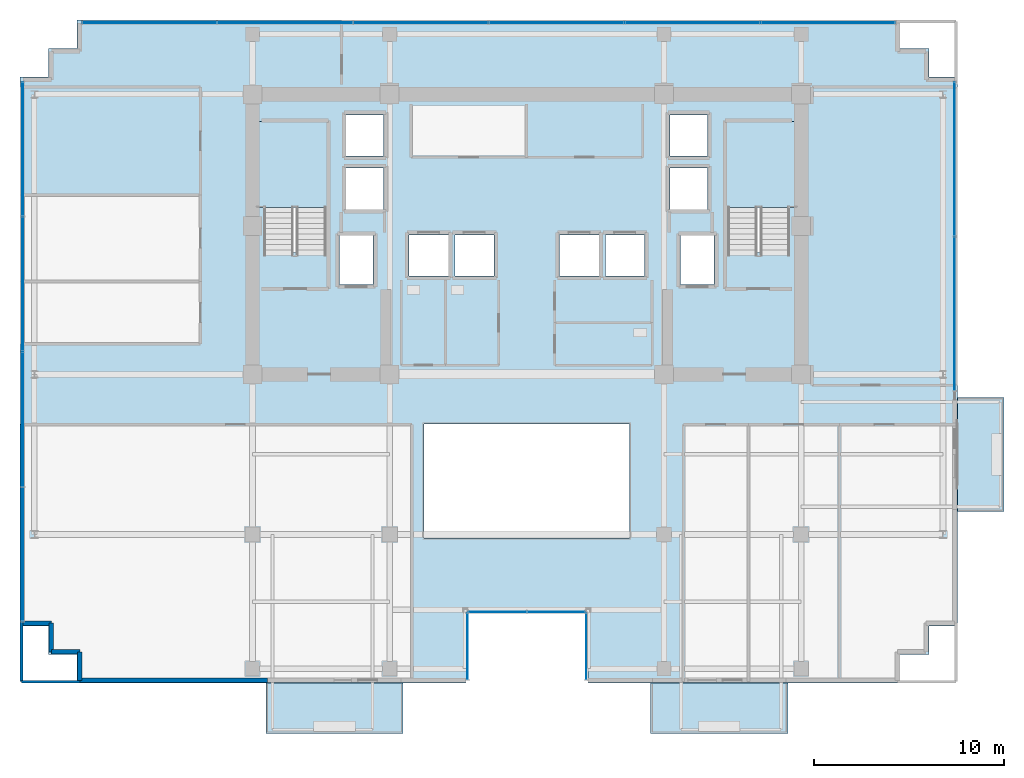
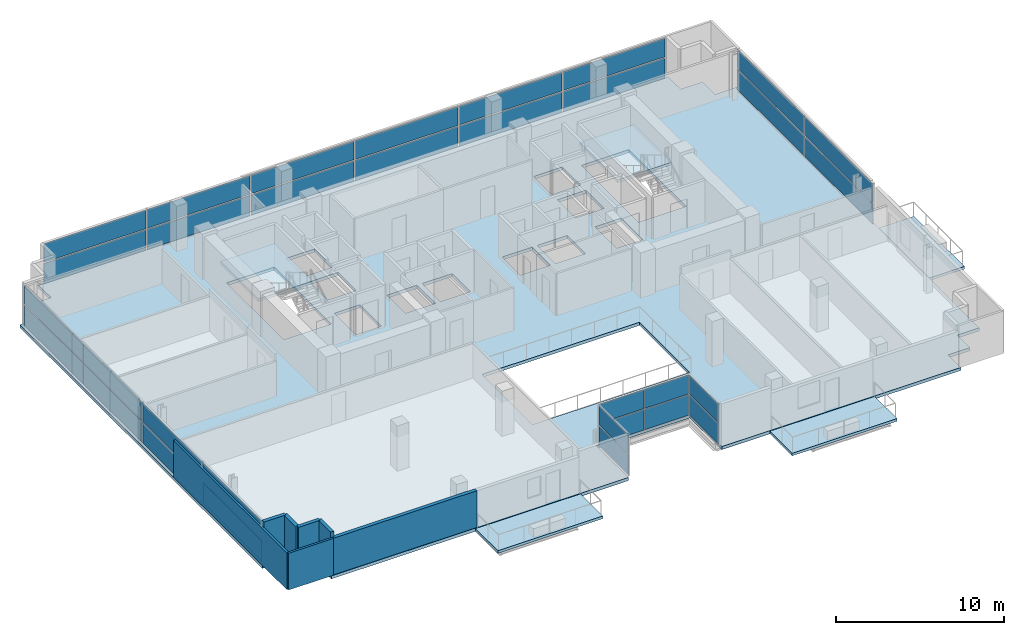
# One storey, part 17 of 25: 32 plates, 7 walls, 6 slabs, 8 elements without a shape of their own.
"""IFC4 building model written with IfcOpenShell, lengths in metres."""

import ifcopenshell
import ifcopenshell.guid

model = None  # the IFC model being written
_history = None  # IfcOwnerHistory: only IFC2X3 demands one
_inside = {}  # id of a spatial element -> (the spatial element, [elements in it])
_under = {}  # id of a project, library or spatial element -> (it, [spatial elements below it])
_declared = {}  # id of a project -> (the project, [libraries it declares])
_typed = {}  # id of a type object -> (the type object, [elements of that type])
_made_of = {}  # id of a material, layer set ... -> (it, [elements and type objects made of it])


def new_model(schema):
    """Start an empty IFC model of exactly this schema.

    Asked for "IFC4X3", IfcOpenShell would pick the latest addendum, in which some entities
    have other attributes; the version numbers below select the first issue.
    IFC2X3 requires an IfcOwnerHistory on every rooted entity: one is made here for all.
    """
    global model, _history
    if schema == "IFC4X3":
        model = ifcopenshell.file(schema_version=(4, 3, 0, 0))
    else:
        model = ifcopenshell.file(schema=schema)
    _inside.clear()
    _under.clear()
    _declared.clear()
    _typed.clear()
    _made_of.clear()
    _history = None
    if model.schema == "IFC2X3":
        org = make("IfcOrganization", Name="unknown")
        user = make(
            "IfcPersonAndOrganization",
            ThePerson=make("IfcPerson", FamilyName="unknown"),
            TheOrganization=org,
        )
        app = make(
            "IfcApplication",
            ApplicationDeveloper=org,
            Version="unknown",
            ApplicationFullName="unknown",
            ApplicationIdentifier="unknown",
        )
        _history = make(
            "IfcOwnerHistory",
            OwningUser=user,
            OwningApplication=app,
            ChangeAction="ADDED",
            CreationDate=0,
        )
    return model


def make(cls, **values):
    """One entity of the class cls with the attributes given. An attribute that is None is left unset."""
    return model.create_entity(
        cls, **{name: value for name, value in values.items() if value is not None}
    )


def rooted(cls, **values):
    """An entity with a GlobalId (a new one), such as an element, a storey or a relation."""
    return make(cls, GlobalId=ifcopenshell.guid.new(), OwnerHistory=_history, **values)


def si_unit(unit_type, name, prefix=None):
    """IfcSIUnit, for example si_unit("LENGTHUNIT", "METRE", prefix="MILLI")."""
    return make("IfcSIUnit", UnitType=unit_type, Prefix=prefix, Name=name)


def assignment(units):
    """IfcUnitAssignment: the units of a project."""
    return None if units is None else make("IfcUnitAssignment", Units=units)


def point(xyz):
    """IfcCartesianPoint."""
    return None if xyz is None else make("IfcCartesianPoint", Coordinates=xyz)


def direction(xyz):
    """IfcDirection."""
    return None if xyz is None else make("IfcDirection", DirectionRatios=xyz)


def frame(location, z_axis=None, x_axis=None):
    """IfcAxis2Placement3D, a coordinate frame: its origin and axes. An axis left out is left unset."""
    return make(
        "IfcAxis2Placement3D",
        Location=point(location),
        Axis=direction(z_axis),
        RefDirection=direction(x_axis),
    )


def frame_2d(location, x_axis=None):
    """IfcAxis2Placement2D, a coordinate frame in the plane: its origin and x axis."""
    return make(
        "IfcAxis2Placement2D", Location=point(location), RefDirection=direction(x_axis)
    )


def origin():
    """The frame at (0, 0, 0) with its axes left unset."""
    return frame((0.0, 0.0, 0.0))


def origin_2d():
    """The frame at (0, 0) in the plane with its x axis left unset."""
    return frame_2d((0.0, 0.0))


def place(relative_to, where):
    """IfcLocalPlacement: puts the frame where relative to a parent placement (None: the world)."""
    return make(
        "IfcLocalPlacement", PlacementRelTo=relative_to, RelativePlacement=where
    )


def context(
    kind, dimensions, precision=None, world=None, true_north=None, identifier=None
):
    """IfcGeometricRepresentationContext, for example the 3D "Model" context."""
    return make(
        "IfcGeometricRepresentationContext",
        ContextIdentifier=identifier,
        ContextType=kind,
        CoordinateSpaceDimension=dimensions,
        Precision=precision,
        WorldCoordinateSystem=world,
        TrueNorth=true_north,
    )


def subcontext(parent, identifier, kind, view, scale=None):
    """IfcGeometricRepresentationSubContext, for example "Body" below "Model"."""
    return make(
        "IfcGeometricRepresentationSubContext",
        ContextIdentifier=identifier,
        ContextType=kind,
        ParentContext=parent,
        TargetScale=scale,
        TargetView=view,
    )


def project(units=None, contexts=None):
    """IfcProject with its units and contexts."""
    return rooted(
        "IfcProject",
        Name="project",
        RepresentationContexts=contexts,
        UnitsInContext=assignment(units),
    )


def spatial(cls, under=None, at=None, **own):
    """A site, building, storey or space (cls), placed at a placement, below another one or the project."""
    s = rooted(cls, ObjectPlacement=at, **own)
    if under is not None:
        _under.setdefault(under.id(), (under, []))[1].append(s)
    return s


def polyline(points):
    """IfcPolyline through the points."""
    return make("IfcPolyline", Points=[point(p) for p in points])


def profile(cls, at=None, kind="AREA", **sizes):
    """A parametric profile (cls). Its sizes go by their IFC names, for example OverallWidth=200.0."""
    return make(cls, ProfileType=kind, Position=at, **sizes)


def rectangle(**sizes):
    """IfcRectangleProfileDef."""
    return profile("IfcRectangleProfileDef", **sizes)


def outline(outer, holes=None, kind="AREA"):
    """IfcArbitraryClosedProfileDef: a profile drawn as a closed curve; with holes, ...WithVoids."""
    if holes is None:
        return make("IfcArbitraryClosedProfileDef", ProfileType=kind, OuterCurve=outer)
    return make(
        "IfcArbitraryProfileDefWithVoids",
        ProfileType=kind,
        OuterCurve=outer,
        InnerCurves=holes,
    )


def extrude(swept, where, along, depth):
    """IfcExtrudedAreaSolid: the profile swept, set in the frame where, extruded along a direction by depth."""
    return make(
        "IfcExtrudedAreaSolid",
        SweptArea=swept,
        Position=where,
        ExtrudedDirection=direction(along),
        Depth=depth,
    )


def shape(context_of_items, identifier, shape_type, items):
    """IfcShapeRepresentation: the items that make up one representation, for example the "Body"."""
    return make(
        "IfcShapeRepresentation",
        ContextOfItems=context_of_items,
        RepresentationIdentifier=identifier,
        RepresentationType=shape_type,
        Items=items,
    )


def source(mapping_origin, context_of_items, identifier, shape_type, items):
    """IfcRepresentationMap: a shape defined once, which mapped items show again and again."""
    return make(
        "IfcRepresentationMap",
        MappingOrigin=mapping_origin,
        MappedRepresentation=shape(context_of_items, identifier, shape_type, items),
    )


def transform(
    local_origin,
    x_axis=None,
    y_axis=None,
    z_axis=None,
    scale=None,
    scale2=None,
    scale3=None,
    uniform=True,
):
    """IfcCartesianTransformationOperator3D, or its non-uniform kind. x_axis, y_axis, z_axis: its Axis1, 2, 3."""
    if uniform:
        return make(
            "IfcCartesianTransformationOperator3D",
            Axis1=direction(x_axis),
            Axis2=direction(y_axis),
            LocalOrigin=point(local_origin),
            Scale=scale,
            Axis3=direction(z_axis),
        )
    return make(
        "IfcCartesianTransformationOperator3DnonUniform",
        Axis1=direction(x_axis),
        Axis2=direction(y_axis),
        LocalOrigin=point(local_origin),
        Scale=scale,
        Axis3=direction(z_axis),
        Scale2=scale2,
        Scale3=scale3,
    )


def mapped(mapping_source, mapping_target):
    """IfcMappedItem: shows the shape of a source again, moved by a transform."""
    return make(
        "IfcMappedItem", MappingSource=mapping_source, MappingTarget=mapping_target
    )


def material(Name=None, Category=None):
    """IfcMaterial."""
    return make("IfcMaterial", Name=Name, Category=Category)


def layer(
    of_material, thickness, ventilated=None, Name=None, Category=None, Priority=None
):
    """IfcMaterialLayer: one layer of a wall or slab, of a material (None: an air gap)."""
    return make(
        "IfcMaterialLayer",
        Material=of_material,
        LayerThickness=thickness,
        IsVentilated=ventilated,
        Name=Name,
        Category=Category,
        Priority=Priority,
    )


def layer_set(layers, Name=None):
    """IfcMaterialLayerSet."""
    return make("IfcMaterialLayerSet", MaterialLayers=layers, LayerSetName=Name)


def made_of(thing, what):
    """Note that an element or type object is made of a material, layer set ...; save() writes the relation."""
    if what is not None:
        _made_of.setdefault(what.id(), (what, []))[1].append(thing)
    return thing


def type_object(cls, material=None, **own):
    """A type object (cls), such as IfcWallType, which elements share."""
    return made_of(rooted(cls, **own), material)


def element(
    cls,
    number,
    at=None,
    inside=None,
    cuts=None,
    type_object=None,
    material=None,
    context=None,
    identifier="Body",
    shape_type=None,
    held_by="IfcProductDefinitionShape",
    body=None,
    shapes=None,
    **own,
):
    """One element of the class cls, such as IfcWall. Its Tag is "e" and its number.

    at: its placement. inside: the storey or other place that contains it. cuts: it is an
    opening in that element (IfcRelVoidsElement). A single representation is given by context,
    identifier, shape_type and body (its items); several are given by shapes. held_by: the class
    of the entity that holds the representations. save() writes the other relations.
    """
    e = rooted(cls, Tag="e%d" % number, ObjectPlacement=at, **own)
    if body is not None:
        shapes = [shape(context, identifier, shape_type, body)]
    if shapes is not None:
        e.Representation = make(held_by, Representations=shapes)
    if inside is not None:
        _inside.setdefault(inside.id(), (inside, []))[1].append(e)
    if cuts is not None:
        rooted(
            "IfcRelVoidsElement", RelatingBuildingElement=cuts, RelatedOpeningElement=e
        )
    if type_object is not None:
        _typed.setdefault(type_object.id(), (type_object, []))[1].append(e)
    return made_of(e, material)


def aggregate(whole, parts):
    """IfcRelAggregates: a whole, such as a stair, and the parts it consists of."""
    return rooted("IfcRelAggregates", RelatingObject=whole, RelatedObjects=parts)


def save(model, path):
    """Write the relations noted so far, then the file.

    IfcRelAggregates (storeys below a building ...), IfcRelContainedInSpatialStructure (elements
    in a storey), IfcRelDefinesByType, IfcRelAssociatesMaterial and IfcRelDeclares: one each for
    every whole, place, type object, material and project.
    """
    for whole, parts in _under.values():
        aggregate(whole, parts)
    for where, things in _inside.values():
        rooted(
            "IfcRelContainedInSpatialStructure",
            RelatedElements=things,
            RelatingStructure=where,
        )
    for kind, things in _typed.values():
        rooted("IfcRelDefinesByType", RelatedObjects=things, RelatingType=kind)
    for what, things in _made_of.values():
        rooted("IfcRelAssociatesMaterial", RelatedObjects=things, RelatingMaterial=what)
    for by, libraries in _declared.values():
        rooted("IfcRelDeclares", RelatingContext=by, RelatedDefinitions=libraries)
    model.write(path)


model = new_model("IFC4")

# Units and contexts
model_context = context("Model", 3, precision=1e-05, world=origin(), true_north=direction((0.0, 1.0)))
body_context = subcontext(model_context, "Body", "Model", "MODEL_VIEW")
ifc_project = project(units=[si_unit("LENGTHUNIT", "METRE"), si_unit("AREAUNIT", "SQUARE_METRE"), si_unit("VOLUMEUNIT", "CUBIC_METRE"), si_unit("PLANEANGLEUNIT", "RADIAN"), si_unit("MASSUNIT", "GRAM", prefix="KILO")], contexts=[model_context])

# Site, building, storey
site_placement = place(None, origin())
site = spatial("IfcSite", under=ifc_project, at=site_placement, CompositionType="ELEMENT")
building_placement = place(site_placement, origin())
building = spatial("IfcBuilding", under=site, at=building_placement, Name="Zarnakvel Exchange Tower", CompositionType="ELEMENT")
storey_placement = place(building_placement, frame((0.0, 0.0, 156.10009765625)))
storey = spatial("IfcBuildingStorey", under=building, at=storey_placement, Name="L43", CompositionType="ELEMENT", Elevation=156.10009765625)

# Stair, slab
ifc_material_1 = material(Name="Concrete C40/50", Category="concrete")
stair_type = type_object("IfcStairType", Name="STR-01", PredefinedType="HALF_TURN_STAIR", material=ifc_material_1)
stair_1_placement = place(storey_placement, origin())
stair_1 = element("IfcStair", 1, at=stair_1_placement, inside=storey, type_object=stair_type, Name="L43 Protected Core Exit Stair ST-01", PredefinedType="HALF_TURN_STAIR")
ifc_layer_1 = layer(ifc_material_1, 0.199951171875)
ifc_layer_set_1 = layer_set([ifc_layer_1], Name="Concrete C40/50")
slab_type_1 = type_object("IfcSlabType", Name="LDG-01", PredefinedType="LANDING", material=ifc_layer_set_1)
slab_1_placement = place(storey_placement, frame((0.0, 0.0, 1.449951171875)))
slab_1 = element("IfcSlab", 2, at=slab_1_placement, type_object=slab_type_1, Name="ST-01 landing 1", PredefinedType="LANDING", context=body_context, shape_type="SweptSolid", body=[
    extrude(outline(polyline([(-14.18994140625, 7.570068359375), (-10.4599609375, 7.570068359375), (-10.4599609375, 12.080078125), (-14.18994140625, 12.080078125), (-14.18994140625, 7.570068359375)])), origin(), (0.0, 0.0, 1.0), 0.199951171875),
])
aggregate(stair_1, [slab_1])

stair_2_placement = place(storey_placement, origin())
stair_2 = element("IfcStair", 3, at=stair_2_placement, inside=storey, type_object=stair_type, Name="L43 Protected Core Exit Stair ST-02", PredefinedType="HALF_TURN_STAIR")
slab_2_placement = place(storey_placement, frame((0.0, 0.0, 1.449951171875)))
slab_2 = element("IfcSlab", 4, at=slab_2_placement, type_object=slab_type_1, Name="ST-02 landing 1", PredefinedType="LANDING", context=body_context, shape_type="SweptSolid", body=[
    extrude(outline(polyline([(10.4599609375, 7.570068359375), (14.18994140625, 7.570068359375), (14.18994140625, 12.080078125), (10.4599609375, 12.080078125), (10.4599609375, 7.570068359375)])), origin(), (0.0, 0.0, 1.0), 0.199951171875),
])
aggregate(stair_2, [slab_2])

# Slabs
ifc_layer_2 = layer(ifc_material_1, 0.22509765625)
ifc_layer_set_2 = layer_set([ifc_layer_2], Name="Concrete C40/50")
slab_type_2 = type_object("IfcSlabType", Name="SL-04", PredefinedType="FLOOR", material=ifc_layer_set_2)
slab_3_placement = place(storey_placement, frame((0.0, 0.0, -0.22509765625)))
element("IfcSlab", 5, at=slab_3_placement, inside=storey, type_object=slab_type_2, Name="L43 Primary Structural Floor Slab", PredefinedType="FLOOR", context=body_context, shape_type="SweptSolid", body=[
    extrude(outline(polyline([(-26.60009765625, -14.39990234375), (-25.10009765625, -14.39990234375), (-25.10009765625, -15.89990234375), (-23.60009765625, -15.89990234375), (-23.60009765625, -17.39990234375), (-3.199951171875, -17.39990234375), (-3.199951171875, -13.60009765625), (3.199951171875, -13.60009765625), (3.199951171875, -17.39990234375), (19.60009765625, -17.39990234375), (19.60009765625, -15.89990234375), (21.10009765625, -15.89990234375), (21.10009765625, -14.39990234375), (22.60009765625, -14.39990234375), (22.60009765625, 14.39990234375), (21.10009765625, 14.39990234375), (21.10009765625, 15.89990234375), (19.60009765625, 15.89990234375), (19.60009765625, 17.39990234375), (-23.60009765625, 17.39990234375), (-23.60009765625, 15.89990234375), (-25.10009765625, 15.89990234375), (-25.10009765625, 14.39990234375), (-26.60009765625, 14.39990234375), (-26.60009765625, -14.39990234375)]), holes=[polyline([(-5.39990234375, -9.800048828125), (5.39990234375, -9.800048828125), (5.39990234375, -3.800048828125), (-5.39990234375, -3.800048828125), (-5.39990234375, -9.800048828125)]), polyline([(-13.800048828125, 5.2099609375), (-10.5400390625, 5.2099609375), (-10.5400390625, 12.0), (-13.800048828125, 12.0), (-13.800048828125, 5.2099609375)]), polyline([(10.5400390625, 5.2099609375), (13.800048828125, 5.2099609375), (13.800048828125, 12.0), (10.5400390625, 12.0), (10.5400390625, 5.2099609375)]), polyline([(-9.830078125, 3.52001953125), (-8.070068359375, 3.52001953125), (-8.070068359375, 6.080078125), (-9.830078125, 6.080078125), (-9.830078125, 3.52001953125)]), polyline([(8.070068359375, 3.52001953125), (9.830078125, 3.52001953125), (9.830078125, 6.080078125), (8.070068359375, 6.080078125), (8.070068359375, 3.52001953125)]), polyline([(-6.179931640625, 3.969970703125), (-4.1201171875, 3.969970703125), (-4.1201171875, 6.1298828125), (-6.179931640625, 6.1298828125), (-6.179931640625, 3.969970703125)]), polyline([(-3.780029296875, 3.969970703125), (-1.719970703125, 3.969970703125), (-1.719970703125, 6.1298828125), (-3.780029296875, 6.1298828125), (-3.780029296875, 3.969970703125)]), polyline([(1.719970703125, 3.969970703125), (3.780029296875, 3.969970703125), (3.780029296875, 6.1298828125), (1.719970703125, 6.1298828125), (1.719970703125, 3.969970703125)]), polyline([(4.1201171875, 3.969970703125), (6.179931640625, 3.969970703125), (6.179931640625, 6.1298828125), (4.1201171875, 6.1298828125), (4.1201171875, 3.969970703125)]), polyline([(-9.47998046875, 7.469970703125), (-7.52001953125, 7.469970703125), (-7.52001953125, 9.6298828125), (-9.47998046875, 9.6298828125), (-9.47998046875, 7.469970703125)]), polyline([(-9.47998046875, 10.27001953125), (-7.52001953125, 10.27001953125), (-7.52001953125, 12.429931640625), (-9.47998046875, 12.429931640625), (-9.47998046875, 10.27001953125)]), polyline([(7.52001953125, 7.469970703125), (9.47998046875, 7.469970703125), (9.47998046875, 9.6298828125), (7.52001953125, 9.6298828125), (7.52001953125, 7.469970703125)]), polyline([(7.52001953125, 10.27001953125), (9.47998046875, 10.27001953125), (9.47998046875, 12.429931640625), (7.52001953125, 12.429931640625), (7.52001953125, 10.27001953125)])]), origin(), (0.0, 0.0, 1.0), 0.22509765625),
])
ifc_layer_3 = layer(ifc_material_1, 0.18994140625)
ifc_layer_set_3 = layer_set([ifc_layer_3], Name="Concrete C40/50")
slab_type_3 = type_object("IfcSlabType", Name="SL-08", PredefinedType="USERDEFINED", material=ifc_layer_set_3)
slab_4_placement = place(storey_placement, frame((0.0, 0.0, -0.22509765625)))
element("IfcSlab", 6, at=slab_4_placement, inside=storey, type_object=slab_type_3, Name="L43 Planted Loggia Balcony Slab BAL-L43-SW", ObjectType="BALCONY", PredefinedType="USERDEFINED", context=body_context, shape_type="SweptSolid", body=[
    extrude(outline(polyline([(-13.699951171875, -20.050048828125), (-6.5, -20.050048828125), (-6.5, -17.39990234375), (-13.699951171875, -17.39990234375), (-13.699951171875, -20.050048828125)])), origin(), (0.0, 0.0, 1.0), 0.18994140625),
])
slab_5_placement = place(storey_placement, frame((0.0, 0.0, -0.22509765625)))
element("IfcSlab", 7, at=slab_5_placement, inside=storey, type_object=slab_type_3, Name="L43 Planted Loggia Balcony Slab BAL-L43-SE", ObjectType="BALCONY", PredefinedType="USERDEFINED", context=body_context, shape_type="SweptSolid", body=[
    extrude(outline(polyline([(6.5, -20.050048828125), (13.699951171875, -20.050048828125), (13.699951171875, -17.39990234375), (6.5, -17.39990234375), (6.5, -20.050048828125)])), origin(), (0.0, 0.0, 1.0), 0.18994140625),
])
slab_6_placement = place(storey_placement, frame((0.0, 0.0, -0.22509765625)))
element("IfcSlab", 8, at=slab_6_placement, inside=storey, type_object=slab_type_3, Name="L43 Planted Loggia Balcony Slab BAL-L43-E", ObjectType="BALCONY", PredefinedType="USERDEFINED", context=body_context, shape_type="SweptSolid", body=[
    extrude(outline(polyline([(22.60009765625, -8.39990234375), (25.050048828125, -8.39990234375), (25.050048828125, -2.39990234375), (22.60009765625, -2.39990234375), (22.60009765625, -8.39990234375)])), origin(), (0.0, 0.0, 1.0), 0.18994140625),
])

# Curtain wall, plate
ifc_material_2 = material(Name="Architectural Bronze Anodised Aluminium", Category="aluminium")
ifc_layer_4 = layer(ifc_material_2, 0.179931640625)
ifc_layer_set_4 = layer_set([ifc_layer_4], Name="Architectural Bronze Anodised Aluminium")
curtain_wall_type_1 = type_object("IfcCurtainWallType", Name="CW-05", PredefinedType="NOTDEFINED", material=ifc_layer_set_4)
curtain_wall_1_placement = place(storey_placement, origin())
curtain_wall_1 = element("IfcCurtainWall", 9, at=curtain_wall_1_placement, inside=storey, type_object=curtain_wall_type_1, Name="L43 Curtain Wall CW-L43-SLW (CW-05)", PredefinedType="NOTDEFINED")
ifc_material_3 = material(Name="Double Low-E Laminated Vision Glass", Category="glass")
ifc_layer_5 = layer(ifc_material_3, 0.02587890625)
ifc_layer_set_5 = layer_set([ifc_layer_5], Name="Double Low-E Laminated Vision Glass")
plate_type_1 = type_object("IfcPlateType", Name="CWP-05", PredefinedType="CURTAIN_PANEL", material=ifc_layer_set_5)
shared_shape_1 = source(origin(), body_context, "Body", "SweptSolid", [
    extrude(rectangle(XDim=3.4599609375, YDim=0.02587890625, at=origin_2d()), origin(), (0.0, 0.0, 1.0), 1.483642578125),
])
plate_1_placement = place(storey_placement, frame((-3.1201171875, -15.47998046875, 0.06982421875), z_axis=(0.0, 0.0, 1.0), x_axis=(0.0, 1.0, 0.0)))
plate_1 = element("IfcPlate", 10, at=plate_1_placement, type_object=plate_type_1, Name="CW-05 panel 1.1", PredefinedType="CURTAIN_PANEL", context=body_context, shape_type="MappedRepresentation", body=[
    mapped(shared_shape_1, transform((0.0, 0.0, 0.0), x_axis=(1.0, 0.0, 0.0), y_axis=(0.0, 1.0, 0.0), z_axis=(0.0, 0.0, 1.0), scale=1.0)),
])

curtain_wall_2_placement = place(storey_placement, origin())
curtain_wall_2 = element("IfcCurtainWall", 11, at=curtain_wall_2_placement, inside=storey, type_object=curtain_wall_type_1, Name="L43 Curtain Wall CW-L43-SLE (CW-05)", PredefinedType="NOTDEFINED")
plate_2_placement = place(storey_placement, frame((3.1201171875, -15.47998046875, 0.06982421875), z_axis=(0.0, 0.0, 1.0), x_axis=(0.0, -1.0, 0.0)))
plate_2 = element("IfcPlate", 12, at=plate_2_placement, type_object=plate_type_1, Name="CW-05 panel 1.1", PredefinedType="CURTAIN_PANEL", context=body_context, shape_type="MappedRepresentation", body=[
    mapped(shared_shape_1, transform((0.0, 0.0, 0.0), x_axis=(1.0, 0.0, 0.0), y_axis=(0.0, 1.0, 0.0), z_axis=(0.0, 0.0, 1.0), scale=1.0)),
])

# Plate
shared_shape_2 = source(origin(), body_context, "Body", "SweptSolid", [
    extrude(rectangle(XDim=3.4599609375, YDim=0.02587890625, at=origin_2d()), origin(), (0.0, 0.0, 1.0), 1.361328125),
])
plate_3_placement = place(storey_placement, frame((-3.1201171875, -15.47998046875, 1.62353515625), z_axis=(0.0, 0.0, 1.0), x_axis=(0.0, 1.0, 0.0)))
plate_3 = element("IfcPlate", 13, at=plate_3_placement, type_object=plate_type_1, Name="CW-05 panel 1.2", PredefinedType="CURTAIN_PANEL", context=body_context, shape_type="MappedRepresentation", body=[
    mapped(shared_shape_2, transform((0.0, 0.0, 0.0), x_axis=(1.0, 0.0, 0.0), y_axis=(0.0, 1.0, 0.0), z_axis=(0.0, 0.0, 1.0), scale=1.0)),
])

aggregate(curtain_wall_1, [plate_1, plate_3])

plate_4_placement = place(storey_placement, frame((3.1201171875, -15.47998046875, 1.62353515625), z_axis=(0.0, 0.0, 1.0), x_axis=(0.0, -1.0, 0.0)))
plate_4 = element("IfcPlate", 14, at=plate_4_placement, type_object=plate_type_1, Name="CW-05 panel 1.2", PredefinedType="CURTAIN_PANEL", context=body_context, shape_type="MappedRepresentation", body=[
    mapped(shared_shape_2, transform((0.0, 0.0, 0.0), x_axis=(1.0, 0.0, 0.0), y_axis=(0.0, 1.0, 0.0), z_axis=(0.0, 0.0, 1.0), scale=1.0)),
])

aggregate(curtain_wall_2, [plate_2, plate_4])

# Curtain wall, plates
curtain_wall_3_placement = place(storey_placement, origin())
curtain_wall_3 = element("IfcCurtainWall", 15, at=curtain_wall_3_placement, inside=storey, type_object=curtain_wall_type_1, Name="L43 Curtain Wall CW-L43-SLB (CW-05)", PredefinedType="NOTDEFINED")
shared_shape_3 = source(origin(), body_context, "Body", "SweptSolid", [
    extrude(rectangle(XDim=3.014892578125, YDim=0.02587890625, at=origin_2d()), origin(), (0.0, 0.0, 1.0), 1.483642578125),
])
plate_5_placement = place(storey_placement, frame((-1.54248046875, -13.679931640625, 0.06982421875), z_axis=(0.0, 0.0, 1.0), x_axis=(1.0, 0.0, 0.0)))
plate_5 = element("IfcPlate", 16, at=plate_5_placement, type_object=plate_type_1, Name="CW-05 panel 1.1", PredefinedType="CURTAIN_PANEL", context=body_context, shape_type="MappedRepresentation", body=[
    mapped(shared_shape_3, transform((0.0, 0.0, 0.0), x_axis=(1.0, 0.0, 0.0), y_axis=(0.0, 1.0, 0.0), z_axis=(0.0, 0.0, 1.0), scale=1.0)),
])
plate_6_placement = place(storey_placement, frame((1.54248046875, -13.679931640625, 0.06982421875), z_axis=(0.0, 0.0, 1.0), x_axis=(1.0, 0.0, 0.0)))
plate_6 = element("IfcPlate", 17, at=plate_6_placement, type_object=plate_type_1, Name="CW-05 panel 2.1", PredefinedType="CURTAIN_PANEL", context=body_context, shape_type="MappedRepresentation", body=[
    mapped(shared_shape_3, transform((0.0, 0.0, 0.0), x_axis=(1.0, 0.0, 0.0), y_axis=(0.0, 1.0, 0.0), z_axis=(0.0, 0.0, 1.0), scale=1.0)),
])
shared_shape_4 = source(origin(), body_context, "Body", "SweptSolid", [
    extrude(rectangle(XDim=3.014892578125, YDim=0.02587890625, at=origin_2d()), origin(), (0.0, 0.0, 1.0), 1.361328125),
])
plate_7_placement = place(storey_placement, frame((-1.54248046875, -13.679931640625, 1.62353515625), z_axis=(0.0, 0.0, 1.0), x_axis=(1.0, 0.0, 0.0)))
plate_7 = element("IfcPlate", 18, at=plate_7_placement, type_object=plate_type_1, Name="CW-05 panel 1.2", PredefinedType="CURTAIN_PANEL", context=body_context, shape_type="MappedRepresentation", body=[
    mapped(shared_shape_4, transform((0.0, 0.0, 0.0), x_axis=(1.0, 0.0, 0.0), y_axis=(0.0, 1.0, 0.0), z_axis=(0.0, 0.0, 1.0), scale=1.0)),
])
plate_8_placement = place(storey_placement, frame((1.54248046875, -13.679931640625, 1.62353515625), z_axis=(0.0, 0.0, 1.0), x_axis=(1.0, 0.0, 0.0)))
plate_8 = element("IfcPlate", 19, at=plate_8_placement, type_object=plate_type_1, Name="CW-05 panel 2.2", PredefinedType="CURTAIN_PANEL", context=body_context, shape_type="MappedRepresentation", body=[
    mapped(shared_shape_4, transform((0.0, 0.0, 0.0), x_axis=(1.0, 0.0, 0.0), y_axis=(0.0, 1.0, 0.0), z_axis=(0.0, 0.0, 1.0), scale=1.0)),
])
aggregate(curtain_wall_3, [plate_5, plate_7, plate_6, plate_8])

ifc_layer_6 = layer(ifc_material_2, 0.219970703125)
ifc_layer_set_6 = layer_set([ifc_layer_6], Name="Architectural Bronze Anodised Aluminium")
curtain_wall_type_2 = type_object("IfcCurtainWallType", Name="CW-03", PredefinedType="NOTDEFINED", material=ifc_layer_set_6)
curtain_wall_4_placement = place(storey_placement, origin())
curtain_wall_4 = element("IfcCurtainWall", 20, at=curtain_wall_4_placement, inside=storey, type_object=curtain_wall_type_2, Name="L43 Curtain Wall CW-L43-N1 (CW-03)", PredefinedType="NOTDEFINED")
ifc_layer_7 = layer(ifc_material_3, 0.030029296875)
ifc_layer_set_7 = layer_set([ifc_layer_7], Name="Double Low-E Laminated Vision Glass")
plate_type_2 = type_object("IfcPlateType", Name="CWP-03", PredefinedType="CURTAIN_PANEL", material=ifc_layer_set_7)
shared_shape_5 = source(origin(), body_context, "Body", "SweptSolid", [
    extrude(rectangle(XDim=7.013427734375, YDim=0.030029296875, at=origin_2d()), origin(), (0.0, 0.0, 1.0), 1.468505859375),
])
plate_9_placement = place(storey_placement, frame((-19.813232421875, 17.260009765625, 0.080078125), z_axis=(0.0, 0.0, 1.0), x_axis=(1.0, 0.0, 0.0)))
plate_9 = element("IfcPlate", 21, at=plate_9_placement, type_object=plate_type_2, Name="CW-03 panel 1.1", PredefinedType="CURTAIN_PANEL", context=body_context, shape_type="MappedRepresentation", body=[
    mapped(shared_shape_5, transform((0.0, 0.0, 0.0), x_axis=(1.0, 0.0, 0.0), y_axis=(0.0, 1.0, 0.0), z_axis=(0.0, 0.0, 1.0), scale=1.0)),
])
plate_10_placement = place(storey_placement, frame((15.813232421875, 17.260009765625, 0.080078125), z_axis=(0.0, 0.0, 1.0), x_axis=(1.0, 0.0, 0.0)))
plate_10 = element("IfcPlate", 22, at=plate_10_placement, type_object=plate_type_2, Name="CW-03 panel 6.1", PredefinedType="CURTAIN_PANEL", context=body_context, shape_type="MappedRepresentation", body=[
    mapped(shared_shape_5, transform((0.0, 0.0, 0.0), x_axis=(1.0, 0.0, 0.0), y_axis=(0.0, 1.0, 0.0), z_axis=(0.0, 0.0, 1.0), scale=1.0)),
])
shared_shape_6 = source(origin(), body_context, "Body", "SweptSolid", [
    extrude(rectangle(XDim=7.013427734375, YDim=0.030029296875, at=origin_2d()), origin(), (0.0, 0.0, 1.0), 1.346435546875),
])
plate_11_placement = place(storey_placement, frame((-19.813232421875, 17.260009765625, 1.62841796875), z_axis=(0.0, 0.0, 1.0), x_axis=(1.0, 0.0, 0.0)))
plate_11 = element("IfcPlate", 23, at=plate_11_placement, type_object=plate_type_2, Name="CW-03 panel 1.2", PredefinedType="CURTAIN_PANEL", context=body_context, shape_type="MappedRepresentation", body=[
    mapped(shared_shape_6, transform((0.0, 0.0, 0.0), x_axis=(1.0, 0.0, 0.0), y_axis=(0.0, 1.0, 0.0), z_axis=(0.0, 0.0, 1.0), scale=1.0)),
])
plate_12_placement = place(storey_placement, frame((15.813232421875, 17.260009765625, 1.62841796875), z_axis=(0.0, 0.0, 1.0), x_axis=(1.0, 0.0, 0.0)))
plate_12 = element("IfcPlate", 24, at=plate_12_placement, type_object=plate_type_2, Name="CW-03 panel 6.2", PredefinedType="CURTAIN_PANEL", context=body_context, shape_type="MappedRepresentation", body=[
    mapped(shared_shape_6, transform((0.0, 0.0, 0.0), x_axis=(1.0, 0.0, 0.0), y_axis=(0.0, 1.0, 0.0), z_axis=(0.0, 0.0, 1.0), scale=1.0)),
])
shared_shape_7 = source(origin(), body_context, "Body", "SweptSolid", [
    extrude(rectangle(XDim=7.05322265625, YDim=0.030029296875, at=origin_2d()), origin(), (0.0, 0.0, 1.0), 1.468505859375),
])
plate_13_placement = place(storey_placement, frame((-12.699951171875, 17.260009765625, 0.080078125), z_axis=(0.0, 0.0, 1.0), x_axis=(1.0, 0.0, 0.0)))
plate_13 = element("IfcPlate", 25, at=plate_13_placement, type_object=plate_type_2, Name="CW-03 panel 2.1", PredefinedType="CURTAIN_PANEL", context=body_context, shape_type="MappedRepresentation", body=[
    mapped(shared_shape_7, transform((0.0, 0.0, 0.0), x_axis=(1.0, 0.0, 0.0), y_axis=(0.0, 1.0, 0.0), z_axis=(0.0, 0.0, 1.0), scale=1.0)),
])
plate_14_placement = place(storey_placement, frame((-5.566650390625, 17.260009765625, 0.080078125), z_axis=(0.0, 0.0, 1.0), x_axis=(1.0, 0.0, 0.0)))
plate_14 = element("IfcPlate", 26, at=plate_14_placement, type_object=plate_type_2, Name="CW-03 panel 3.1", PredefinedType="CURTAIN_PANEL", context=body_context, shape_type="MappedRepresentation", body=[
    mapped(shared_shape_7, transform((0.0, 0.0, 0.0), x_axis=(1.0, 0.0, 0.0), y_axis=(0.0, 1.0, 0.0), z_axis=(0.0, 0.0, 1.0), scale=1.0)),
])
plate_15_placement = place(storey_placement, frame((1.566650390625, 17.260009765625, 0.080078125), z_axis=(0.0, 0.0, 1.0), x_axis=(1.0, 0.0, 0.0)))
plate_15 = element("IfcPlate", 27, at=plate_15_placement, type_object=plate_type_2, Name="CW-03 panel 4.1", PredefinedType="CURTAIN_PANEL", context=body_context, shape_type="MappedRepresentation", body=[
    mapped(shared_shape_7, transform((0.0, 0.0, 0.0), x_axis=(1.0, 0.0, 0.0), y_axis=(0.0, 1.0, 0.0), z_axis=(0.0, 0.0, 1.0), scale=1.0)),
])
plate_16_placement = place(storey_placement, frame((8.699951171875, 17.260009765625, 0.080078125), z_axis=(0.0, 0.0, 1.0), x_axis=(1.0, 0.0, 0.0)))
plate_16 = element("IfcPlate", 28, at=plate_16_placement, type_object=plate_type_2, Name="CW-03 panel 5.1", PredefinedType="CURTAIN_PANEL", context=body_context, shape_type="MappedRepresentation", body=[
    mapped(shared_shape_7, transform((0.0, 0.0, 0.0), x_axis=(1.0, 0.0, 0.0), y_axis=(0.0, 1.0, 0.0), z_axis=(0.0, 0.0, 1.0), scale=1.0)),
])
shared_shape_8 = source(origin(), body_context, "Body", "SweptSolid", [
    extrude(rectangle(XDim=7.05322265625, YDim=0.030029296875, at=origin_2d()), origin(), (0.0, 0.0, 1.0), 1.346435546875),
])
plate_17_placement = place(storey_placement, frame((-12.699951171875, 17.260009765625, 1.62841796875), z_axis=(0.0, 0.0, 1.0), x_axis=(1.0, 0.0, 0.0)))
plate_17 = element("IfcPlate", 29, at=plate_17_placement, type_object=plate_type_2, Name="CW-03 panel 2.2", PredefinedType="CURTAIN_PANEL", context=body_context, shape_type="MappedRepresentation", body=[
    mapped(shared_shape_8, transform((0.0, 0.0, 0.0), x_axis=(1.0, 0.0, 0.0), y_axis=(0.0, 1.0, 0.0), z_axis=(0.0, 0.0, 1.0), scale=1.0)),
])
plate_18_placement = place(storey_placement, frame((-5.566650390625, 17.260009765625, 1.62841796875), z_axis=(0.0, 0.0, 1.0), x_axis=(1.0, 0.0, 0.0)))
plate_18 = element("IfcPlate", 30, at=plate_18_placement, type_object=plate_type_2, Name="CW-03 panel 3.2", PredefinedType="CURTAIN_PANEL", context=body_context, shape_type="MappedRepresentation", body=[
    mapped(shared_shape_8, transform((0.0, 0.0, 0.0), x_axis=(1.0, 0.0, 0.0), y_axis=(0.0, 1.0, 0.0), z_axis=(0.0, 0.0, 1.0), scale=1.0)),
])
plate_19_placement = place(storey_placement, frame((1.566650390625, 17.260009765625, 1.62841796875), z_axis=(0.0, 0.0, 1.0), x_axis=(1.0, 0.0, 0.0)))
plate_19 = element("IfcPlate", 31, at=plate_19_placement, type_object=plate_type_2, Name="CW-03 panel 4.2", PredefinedType="CURTAIN_PANEL", context=body_context, shape_type="MappedRepresentation", body=[
    mapped(shared_shape_8, transform((0.0, 0.0, 0.0), x_axis=(1.0, 0.0, 0.0), y_axis=(0.0, 1.0, 0.0), z_axis=(0.0, 0.0, 1.0), scale=1.0)),
])
plate_20_placement = place(storey_placement, frame((8.699951171875, 17.260009765625, 1.62841796875), z_axis=(0.0, 0.0, 1.0), x_axis=(1.0, 0.0, 0.0)))
plate_20 = element("IfcPlate", 32, at=plate_20_placement, type_object=plate_type_2, Name="CW-03 panel 5.2", PredefinedType="CURTAIN_PANEL", context=body_context, shape_type="MappedRepresentation", body=[
    mapped(shared_shape_8, transform((0.0, 0.0, 0.0), x_axis=(1.0, 0.0, 0.0), y_axis=(0.0, 1.0, 0.0), z_axis=(0.0, 0.0, 1.0), scale=1.0)),
])
aggregate(curtain_wall_4, [plate_9, plate_11, plate_13, plate_17, plate_14, plate_18, plate_15, plate_19, plate_16, plate_20, plate_10, plate_12])

ifc_layer_8 = layer(ifc_material_2, 0.199951171875)
ifc_layer_set_8 = layer_set([ifc_layer_8], Name="Architectural Bronze Anodised Aluminium")
curtain_wall_type_3 = type_object("IfcCurtainWallType", Name="CW-04", PredefinedType="NOTDEFINED", material=ifc_layer_set_8)
curtain_wall_5_placement = place(storey_placement, origin())
curtain_wall_5 = element("IfcCurtainWall", 33, at=curtain_wall_5_placement, inside=storey, type_object=curtain_wall_type_3, Name="L43 Curtain Wall CW-L43-EN (CW-04)", PredefinedType="NOTDEFINED")
ifc_layer_9 = layer(ifc_material_3, 0.028076171875)
ifc_layer_set_9 = layer_set([ifc_layer_9], Name="Double Low-E Laminated Vision Glass")
plate_type_3 = type_object("IfcPlateType", Name="CWP-04", PredefinedType="CURTAIN_PANEL", material=ifc_layer_set_9)
shared_shape_9 = source(origin(), body_context, "Body", "SweptSolid", [
    extrude(rectangle(XDim=8.03759765625, YDim=0.028076171875, at=origin_2d()), origin(), (0.0, 0.0, 1.0), 1.47607421875),
])
plate_21_placement = place(storey_placement, frame((22.4599609375, 1.99365234375, 0.074951171875), z_axis=(0.0, 0.0, 1.0), x_axis=(0.0, 1.0, 0.0)))
plate_21 = element("IfcPlate", 34, at=plate_21_placement, type_object=plate_type_3, Name="CW-04 panel 1.1", PredefinedType="CURTAIN_PANEL", context=body_context, shape_type="MappedRepresentation", body=[
    mapped(shared_shape_9, transform((0.0, 0.0, 0.0), x_axis=(1.0, 0.0, 0.0), y_axis=(0.0, 1.0, 0.0), z_axis=(0.0, 0.0, 1.0), scale=1.0)),
])
plate_22_placement = place(storey_placement, frame((22.4599609375, 10.106201171875, 0.074951171875), z_axis=(0.0, 0.0, 1.0), x_axis=(0.0, 1.0, 0.0)))
plate_22 = element("IfcPlate", 35, at=plate_22_placement, type_object=plate_type_3, Name="CW-04 panel 2.1", PredefinedType="CURTAIN_PANEL", context=body_context, shape_type="MappedRepresentation", body=[
    mapped(shared_shape_9, transform((0.0, 0.0, 0.0), x_axis=(1.0, 0.0, 0.0), y_axis=(0.0, 1.0, 0.0), z_axis=(0.0, 0.0, 1.0), scale=1.0)),
])
shared_shape_10 = source(origin(), body_context, "Body", "SweptSolid", [
    extrude(rectangle(XDim=8.03759765625, YDim=0.028076171875, at=origin_2d()), origin(), (0.0, 0.0, 1.0), 1.35400390625),
])
plate_23_placement = place(storey_placement, frame((22.4599609375, 1.99365234375, 1.6259765625), z_axis=(0.0, 0.0, 1.0), x_axis=(0.0, 1.0, 0.0)))
plate_23 = element("IfcPlate", 36, at=plate_23_placement, type_object=plate_type_3, Name="CW-04 panel 1.2", PredefinedType="CURTAIN_PANEL", context=body_context, shape_type="MappedRepresentation", body=[
    mapped(shared_shape_10, transform((0.0, 0.0, 0.0), x_axis=(1.0, 0.0, 0.0), y_axis=(0.0, 1.0, 0.0), z_axis=(0.0, 0.0, 1.0), scale=1.0)),
])
plate_24_placement = place(storey_placement, frame((22.4599609375, 10.106201171875, 1.6259765625), z_axis=(0.0, 0.0, 1.0), x_axis=(0.0, 1.0, 0.0)))
plate_24 = element("IfcPlate", 37, at=plate_24_placement, type_object=plate_type_3, Name="CW-04 panel 2.2", PredefinedType="CURTAIN_PANEL", context=body_context, shape_type="MappedRepresentation", body=[
    mapped(shared_shape_10, transform((0.0, 0.0, 0.0), x_axis=(1.0, 0.0, 0.0), y_axis=(0.0, 1.0, 0.0), z_axis=(0.0, 0.0, 1.0), scale=1.0)),
])
aggregate(curtain_wall_5, [plate_21, plate_23, plate_22, plate_24])

curtain_wall_6_placement = place(storey_placement, origin())
curtain_wall_6 = element("IfcCurtainWall", 38, at=curtain_wall_6_placement, inside=storey, type_object=curtain_wall_type_3, Name="L43 Curtain Wall CW-L43-W1 (CW-04)", PredefinedType="NOTDEFINED")
shared_shape_11 = source(origin(), body_context, "Body", "SweptSolid", [
    extrude(rectangle(XDim=6.987548828125, YDim=0.028076171875, at=origin_2d()), origin(), (0.0, 0.0, 1.0), 1.47607421875),
])
plate_25_placement = place(storey_placement, frame((-26.4599609375, -10.63134765625, 0.074951171875), z_axis=(0.0, 0.0, 1.0), x_axis=(0.0, 1.0, 0.0)))
plate_25 = element("IfcPlate", 39, at=plate_25_placement, type_object=plate_type_3, Name="CW-04 panel 1.1", PredefinedType="CURTAIN_PANEL", context=body_context, shape_type="MappedRepresentation", body=[
    mapped(shared_shape_11, transform((0.0, 0.0, 0.0), x_axis=(1.0, 0.0, 0.0), y_axis=(0.0, 1.0, 0.0), z_axis=(0.0, 0.0, 1.0), scale=1.0)),
])
plate_26_placement = place(storey_placement, frame((-26.4599609375, 10.63134765625, 0.074951171875), z_axis=(0.0, 0.0, 1.0), x_axis=(0.0, 1.0, 0.0)))
plate_26 = element("IfcPlate", 40, at=plate_26_placement, type_object=plate_type_3, Name="CW-04 panel 4.1", PredefinedType="CURTAIN_PANEL", context=body_context, shape_type="MappedRepresentation", body=[
    mapped(shared_shape_11, transform((0.0, 0.0, 0.0), x_axis=(1.0, 0.0, 0.0), y_axis=(0.0, 1.0, 0.0), z_axis=(0.0, 0.0, 1.0), scale=1.0)),
])
shared_shape_12 = source(origin(), body_context, "Body", "SweptSolid", [
    extrude(rectangle(XDim=6.987548828125, YDim=0.028076171875, at=origin_2d()), origin(), (0.0, 0.0, 1.0), 1.35400390625),
])
plate_27_placement = place(storey_placement, frame((-26.4599609375, -10.63134765625, 1.6259765625), z_axis=(0.0, 0.0, 1.0), x_axis=(0.0, 1.0, 0.0)))
plate_27 = element("IfcPlate", 41, at=plate_27_placement, type_object=plate_type_3, Name="CW-04 panel 1.2", PredefinedType="CURTAIN_PANEL", context=body_context, shape_type="MappedRepresentation", body=[
    mapped(shared_shape_12, transform((0.0, 0.0, 0.0), x_axis=(1.0, 0.0, 0.0), y_axis=(0.0, 1.0, 0.0), z_axis=(0.0, 0.0, 1.0), scale=1.0)),
])
plate_28_placement = place(storey_placement, frame((-26.4599609375, 10.63134765625, 1.6259765625), z_axis=(0.0, 0.0, 1.0), x_axis=(0.0, 1.0, 0.0)))
plate_28 = element("IfcPlate", 42, at=plate_28_placement, type_object=plate_type_3, Name="CW-04 panel 4.2", PredefinedType="CURTAIN_PANEL", context=body_context, shape_type="MappedRepresentation", body=[
    mapped(shared_shape_12, transform((0.0, 0.0, 0.0), x_axis=(1.0, 0.0, 0.0), y_axis=(0.0, 1.0, 0.0), z_axis=(0.0, 0.0, 1.0), scale=1.0)),
])
shared_shape_13 = source(origin(), body_context, "Body", "SweptSolid", [
    extrude(rectangle(XDim=7.02490234375, YDim=0.028076171875, at=origin_2d()), origin(), (0.0, 0.0, 1.0), 1.47607421875),
])
plate_29_placement = place(storey_placement, frame((-26.4599609375, -3.550048828125, 0.074951171875), z_axis=(0.0, 0.0, 1.0), x_axis=(0.0, 1.0, 0.0)))
plate_29 = element("IfcPlate", 43, at=plate_29_placement, type_object=plate_type_3, Name="CW-04 panel 2.1", PredefinedType="CURTAIN_PANEL", context=body_context, shape_type="MappedRepresentation", body=[
    mapped(shared_shape_13, transform((0.0, 0.0, 0.0), x_axis=(1.0, 0.0, 0.0), y_axis=(0.0, 1.0, 0.0), z_axis=(0.0, 0.0, 1.0), scale=1.0)),
])
plate_30_placement = place(storey_placement, frame((-26.4599609375, 3.550048828125, 0.074951171875), z_axis=(0.0, 0.0, 1.0), x_axis=(0.0, 1.0, 0.0)))
plate_30 = element("IfcPlate", 44, at=plate_30_placement, type_object=plate_type_3, Name="CW-04 panel 3.1", PredefinedType="CURTAIN_PANEL", context=body_context, shape_type="MappedRepresentation", body=[
    mapped(shared_shape_13, transform((0.0, 0.0, 0.0), x_axis=(1.0, 0.0, 0.0), y_axis=(0.0, 1.0, 0.0), z_axis=(0.0, 0.0, 1.0), scale=1.0)),
])
shared_shape_14 = source(origin(), body_context, "Body", "SweptSolid", [
    extrude(rectangle(XDim=7.02490234375, YDim=0.028076171875, at=origin_2d()), origin(), (0.0, 0.0, 1.0), 1.35400390625),
])
plate_31_placement = place(storey_placement, frame((-26.4599609375, -3.550048828125, 1.6259765625), z_axis=(0.0, 0.0, 1.0), x_axis=(0.0, 1.0, 0.0)))
plate_31 = element("IfcPlate", 45, at=plate_31_placement, type_object=plate_type_3, Name="CW-04 panel 2.2", PredefinedType="CURTAIN_PANEL", context=body_context, shape_type="MappedRepresentation", body=[
    mapped(shared_shape_14, transform((0.0, 0.0, 0.0), x_axis=(1.0, 0.0, 0.0), y_axis=(0.0, 1.0, 0.0), z_axis=(0.0, 0.0, 1.0), scale=1.0)),
])
plate_32_placement = place(storey_placement, frame((-26.4599609375, 3.550048828125, 1.6259765625), z_axis=(0.0, 0.0, 1.0), x_axis=(0.0, 1.0, 0.0)))
plate_32 = element("IfcPlate", 46, at=plate_32_placement, type_object=plate_type_3, Name="CW-04 panel 3.2", PredefinedType="CURTAIN_PANEL", context=body_context, shape_type="MappedRepresentation", body=[
    mapped(shared_shape_14, transform((0.0, 0.0, 0.0), x_axis=(1.0, 0.0, 0.0), y_axis=(0.0, 1.0, 0.0), z_axis=(0.0, 0.0, 1.0), scale=1.0)),
])
aggregate(curtain_wall_6, [plate_25, plate_27, plate_29, plate_31, plate_30, plate_32, plate_26, plate_28])

# Walls
ifc_material_4 = material(Name="Precast concrete C40/50", Category="concrete")
ifc_layer_10 = layer(ifc_material_4, 0.239990234375)
ifc_layer_set_10 = layer_set([ifc_layer_10], Name="Precast concrete C40/50")
wall_type_1 = type_object("IfcWallType", Name="EW-02", PredefinedType="SOLIDWALL", material=ifc_layer_set_10)
wall_1_placement = place(storey_placement, frame((-23.4599609375, -17.260009765625, 0.0), z_axis=(0.0, 0.0, 1.0), x_axis=(1.0, 0.0, 0.0)))
element("IfcWall", 47, at=wall_1_placement, inside=storey, type_object=wall_type_1, Name="L43 Exterior Precast Spandrel Wall EWC-L43-22 (EW-02)", PredefinedType="SOLIDWALL", context=body_context, shape_type="SweptSolid", body=[
    extrude(rectangle(XDim=9.85986328125, YDim=0.239990234375, at=frame_2d((4.929931640625, 0.0))), origin(), (0.0, 0.0, 1.0), 2.664794921875),
])
for number, where, z_axis, x_axis, name in (
    (48, (-23.4599609375, -15.760009765625, 0.0), (0.0, 0.0, 1.0), (0.0, -1.0, 0.0), "L43 Exterior Precast Spandrel Wall EWC-L43-23 (EW-02)"),
    (49, (-24.9599609375, -15.760009765625, 0.0), (0.0, 0.0, 1.0), (1.0, 0.0, 0.0), "L43 Exterior Precast Spandrel Wall EWC-L43-24 (EW-02)"),
    (50, (-24.9599609375, -14.260009765625, 0.0), (0.0, 0.0, 1.0), (0.0, -1.0, 0.0), "L43 Exterior Precast Spandrel Wall EWC-L43-25 (EW-02)"),
    (51, (-26.4599609375, -14.260009765625, 0.0), (0.0, 0.0, 1.0), (1.0, 0.0, 0.0), "L43 Exterior Precast Spandrel Wall EWC-L43-26 (EW-02)"),
):
    element("IfcWall", number, at=place(storey_placement, frame(where, z_axis=z_axis, x_axis=x_axis)), inside=storey, type_object=wall_type_1, Name=name, PredefinedType="SOLIDWALL", context=body_context, shape_type="SweptSolid", body=[
        extrude(rectangle(XDim=1.5, YDim=0.239990234375, at=frame_2d((0.75, 0.0))), origin(), (0.0, 0.0, 1.0), 3.074951171875),
    ])
ifc_material_5 = material(Name="Fire-Rated Gypsum Stud Partition", Category="gypsum")
ifc_layer_11 = layer(ifc_material_5, 0.14990234375)
ifc_layer_set_11 = layer_set([ifc_layer_11], Name="Fire-Rated Gypsum Stud Partition")
wall_type_2 = type_object("IfcWallType", Name="PT-01", PredefinedType="PARTITIONING", material=ifc_layer_set_11)
wall_2_placement = place(storey_placement, frame((-23.4599609375, -17.330078125, 0.0), z_axis=(0.0, 0.0, 1.0), x_axis=(-1.0, 0.0, 0.0)))
element("IfcWall", 52, at=wall_2_placement, inside=storey, type_object=wall_type_2, Name="L43 Partition Wall PWALL-L43-027 (PT-01)", PredefinedType="PARTITIONING", context=body_context, shape_type="SweptSolid", body=[
    extrude(rectangle(XDim=3.070068359375, YDim=0.14990234375, at=frame_2d((1.53515625, 0.0))), origin(), (0.0, 0.0, 1.0), 2.664794921875),
])
wall_3_placement = place(storey_placement, frame((-26.530029296875, -17.330078125, 0.0), z_axis=(0.0, 0.0, 1.0), x_axis=(0.0, 1.0, 0.0)))
element("IfcWall", 53, at=wall_3_placement, inside=storey, type_object=wall_type_2, Name="L43 Partition Wall PWALL-L43-029 (PT-01)", PredefinedType="PARTITIONING", context=body_context, shape_type="SweptSolid", body=[
    extrude(rectangle(XDim=13.5, YDim=0.14990234375, at=frame_2d((6.75, 0.0))), origin(), (0.0, 0.0, 1.0), 2.664794921875),
])

save(model, "model.ifc")
